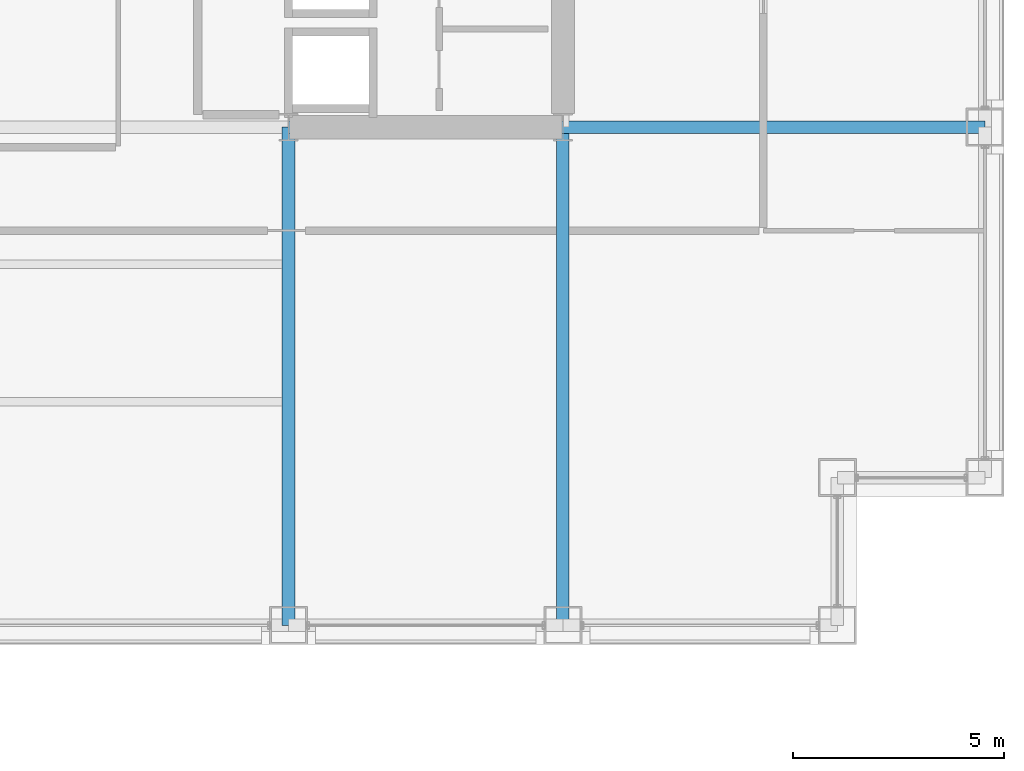
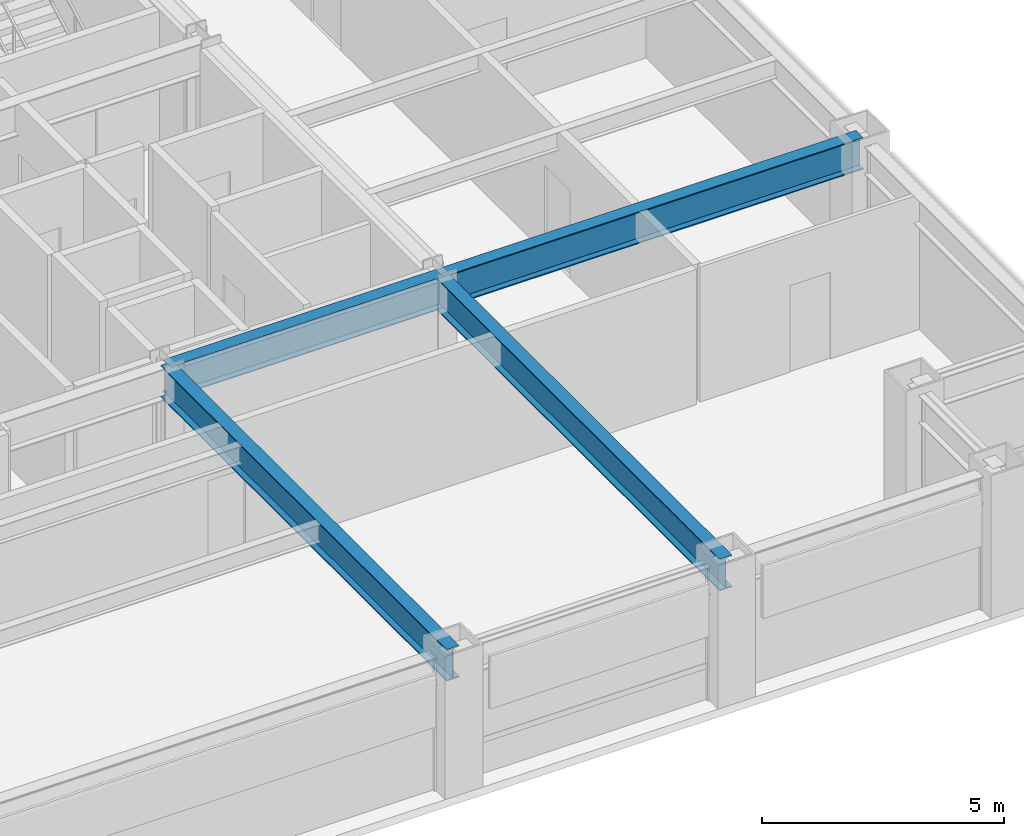
# One storey, part 9 of 28: 4 beams.
"""IFC4 building model written with IfcOpenShell, lengths in metres."""

from ifc_helpers import new_model, si_unit, direction, frame, origin, origin_2d, place, context, subcontext, project, spatial, i_section, extrude, material, material_profile, profile_set, type_object, element, save


model = new_model("IFC4")

# Units and contexts
model_context = context("Model", 3, precision=1e-05, world=origin(), true_north=direction((0.0, 1.0)))
body_context = subcontext(model_context, "Body", "Model", "MODEL_VIEW")
ifc_project = project(units=[si_unit("LENGTHUNIT", "METRE"), si_unit("AREAUNIT", "SQUARE_METRE"), si_unit("VOLUMEUNIT", "CUBIC_METRE"), si_unit("PLANEANGLEUNIT", "RADIAN"), si_unit("MASSUNIT", "GRAM", prefix="KILO")], contexts=[model_context])

# Site, building, storey
site_placement = place(None, origin())
site = spatial("IfcSite", under=ifc_project, at=site_placement, CompositionType="ELEMENT")
building_placement = place(site_placement, origin())
building = spatial("IfcBuilding", under=site, at=building_placement, Name="Brelmoor Portico Tower", CompositionType="ELEMENT")
storey_placement = place(building_placement, frame((0.0, 0.0, 70.800048828125)))
storey = spatial("IfcBuildingStorey", under=building, at=storey_placement, Name="L18", CompositionType="ELEMENT", Elevation=70.800048828125)

# Beams
ifc_material = material(Name="Steel Q355B", Category="steel")
ifc_material_profile = material_profile(ifc_material, i_section(OverallWidth=0.300048828125, OverallDepth=0.800048828125, WebThickness=0.013916015625, FlangeThickness=0.02587890625, at=origin_2d()), Name="HN 800x300x14x26")
ifc_profile_set = profile_set([ifc_material_profile], Name="Steel Q355B")
beam_type = type_object("IfcBeamType", Name="BM-PG-800", PredefinedType="BEAM", material=ifc_profile_set)
for number, where, z_axis, x_axis, name in (
    (1, (8.050048828125, -21.550048828125, 3.0), (0.0, 1.0, 0.0), (-1.0, 0.0, 0.0), "L18 Primary Floor Girder PG-09"),
    (2, (14.550048828125, -21.550048828125, 3.0), (0.0, 1.0, 0.0), (-1.0, 0.0, 0.0), "L18 Primary Floor Girder PG-11"),
):
    element("IfcBeam", number, at=place(storey_placement, frame(where, z_axis=z_axis, x_axis=x_axis)), inside=storey, type_object=beam_type, Name=name, PredefinedType="BEAM", context=body_context, shape_type="SweptSolid", body=[
        extrude(i_section(OverallWidth=0.300048828125, OverallDepth=0.800048828125, WebThickness=0.013916015625, FlangeThickness=0.02587890625, at=origin_2d()), origin(), (0.0, 0.0, 1.0), 11.800048828125),
    ])
beam_1_placement = place(storey_placement, frame((8.050048828125, -9.75, 3.0), z_axis=(1.0, 0.0, 0.0), x_axis=(0.0, 1.0, 0.0)))
element("IfcBeam", 3, at=beam_1_placement, inside=storey, type_object=beam_type, Name="L18 Primary Floor Girder PG-22", PredefinedType="BEAM", context=body_context, shape_type="SweptSolid", body=[
    extrude(i_section(OverallWidth=0.300048828125, OverallDepth=0.800048828125, WebThickness=0.013916015625, FlangeThickness=0.02587890625, at=origin_2d()), origin(), (0.0, 0.0, 1.0), 6.5),
])
beam_2_placement = place(storey_placement, frame((14.550048828125, -9.75, 3.0), z_axis=(1.0, 0.0, 0.0), x_axis=(0.0, 1.0, 0.0)))
element("IfcBeam", 4, at=beam_2_placement, inside=storey, type_object=beam_type, Name="L18 Primary Floor Girder PG-23", PredefinedType="BEAM", context=body_context, shape_type="SweptSolid", body=[
    extrude(i_section(OverallWidth=0.300048828125, OverallDepth=0.800048828125, WebThickness=0.013916015625, FlangeThickness=0.02587890625, at=origin_2d()), origin(), (0.0, 0.0, 1.0), 10.0),
])

save(model, "model.ifc")
